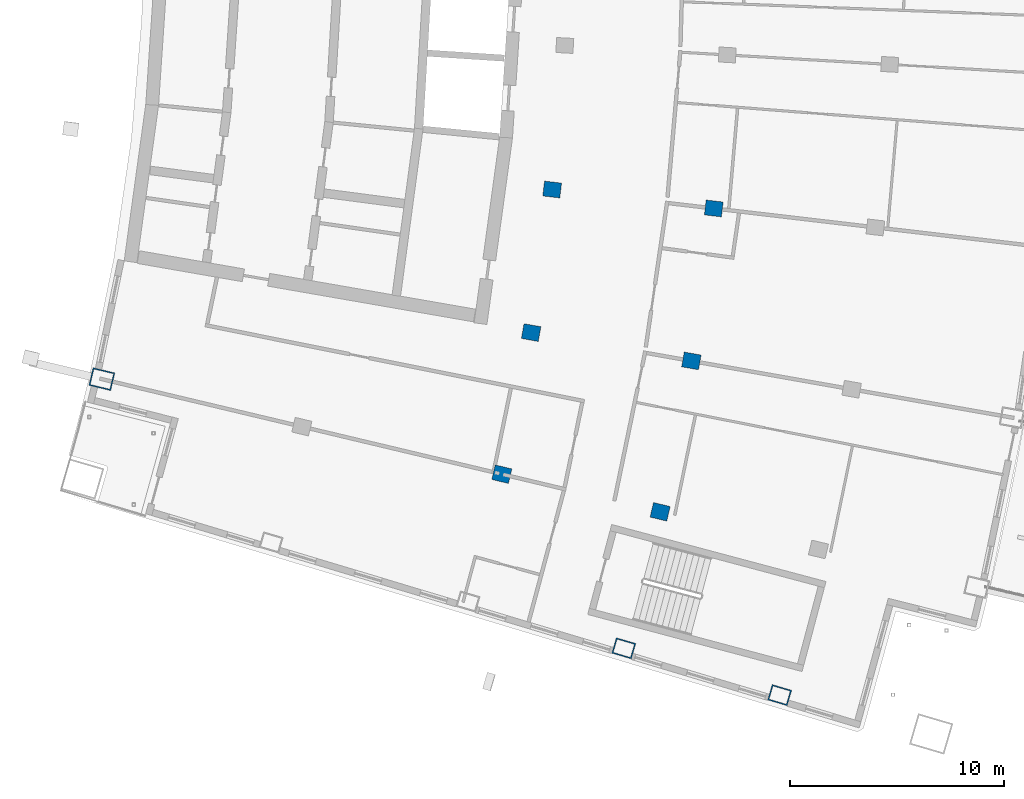
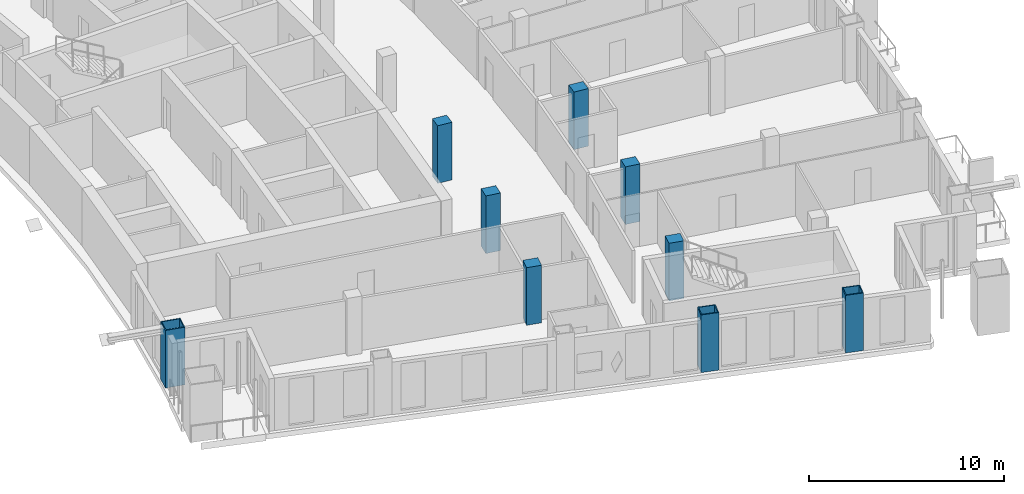
# One storey, part 2 of 19: 9 columns.
"""IFC4 building model written with IfcOpenShell, lengths in metres."""

from ifc_helpers import new_model, si_unit, direction, frame, origin, origin_2d, place, context, subcontext, project, spatial, rectangle, hollow_rectangle, extrude, material, material_profile, profile_set, type_object, element, save


model = new_model("IFC4")

# Units and contexts
model_context = context("Model", 3, precision=1e-05, world=origin(), true_north=direction((0.0, 1.0)))
body_context = subcontext(model_context, "Body", "Model", "MODEL_VIEW")
ifc_project = project(units=[si_unit("LENGTHUNIT", "METRE"), si_unit("AREAUNIT", "SQUARE_METRE"), si_unit("VOLUMEUNIT", "CUBIC_METRE"), si_unit("PLANEANGLEUNIT", "RADIAN"), si_unit("MASSUNIT", "GRAM", prefix="KILO")], contexts=[model_context])

# Site, building, storey
site_placement = place(None, origin())
site = spatial("IfcSite", under=ifc_project, at=site_placement, CompositionType="ELEMENT")
building_placement = place(site_placement, origin())
building = spatial("IfcBuilding", under=site, at=building_placement, Name="Alderwake Tower", CompositionType="ELEMENT")
storey_placement = place(building_placement, frame((0.0, 0.0, 196.39990234375)))
storey = spatial("IfcBuildingStorey", under=building, at=storey_placement, Name="L48", CompositionType="ELEMENT", Elevation=196.39990234375)

# Columns
ifc_material_1 = material(Name="Steel ASTM A572 Grade 50 concrete filled C70/85", Category="concrete")
ifc_material_profile_1 = material_profile(ifc_material_1, hollow_rectangle(XDim=0.75, YDim=0.949951171875, WallThickness=0.054931640625, at=origin_2d()), Name="BOX 950X750X55")
ifc_profile_set_1 = profile_set([ifc_material_profile_1], Name="Steel ASTM A572 Grade 50 concrete filled C70/85")
column_type_1 = type_object("IfcColumnType", Name="End column Z4", PredefinedType="COLUMN", material=ifc_profile_set_1)
for number, where, z_axis, x_axis, name in (
    (1, (38.359619140625, 26.091552734375, 0.0), (0.0, 0.0, 1.0), (0.282888913059, 0.959152679644, 0.0), "Column R02-C3"),
    (2, (45.638671875, 23.906005859375, 0.0), (0.0, 0.0, 1.0), (0.283160095779, 0.95907265635, 0.0), "Column R02-C4"),
):
    element("IfcColumn", number, at=place(storey_placement, frame(where, z_axis=z_axis, x_axis=x_axis)), inside=storey, type_object=column_type_1, Name=name, PredefinedType="COLUMN", context=body_context, shape_type="SweptSolid", body=[
        extrude(hollow_rectangle(XDim=0.75, YDim=0.949951171875, WallThickness=0.054931640625, at=origin_2d()), origin(), (0.0, 0.0, 1.0), 3.60009765625),
    ])
ifc_material_2 = material(Name="Concrete C70/85", Category="concrete")
ifc_material_profile_2 = material_profile(ifc_material_2, rectangle(XDim=0.699951171875, YDim=0.800048828125, at=origin_2d()), Name="RC 800X700")
ifc_profile_set_2 = profile_set([ifc_material_profile_2], Name="Concrete C70/85")
column_type_2 = type_object("IfcColumnType", Name="Interior column Z4", PredefinedType="COLUMN", material=ifc_profile_set_2)
for number, where, z_axis, x_axis, name in (
    (3, (32.661865234375, 34.224609375, 0.0), (0.0, 0.0, 1.0), (0.231221547198, 0.972901123502, 0.0), "Column R03-C2"),
    (4, (40.055908203125, 32.46728515625, 0.0), (0.0, 0.0, 1.0), (0.231221547198, 0.972901123502, 0.0), "Column R03-C3"),
    (5, (34.03125, 40.83837890625, 0.0), (0.0, 0.0, 1.0), (0.174108800747, 0.984726421654, 0.0), "Column R04-C2"),
    (6, (41.515380859375, 39.51513671875, 0.0), (0.0, 0.0, 1.0), (0.174107082075, 0.984726725529, 0.0), "Column R04-C3"),
    (7, (35.0126953125, 47.5205078125, 0.0), (0.0, 0.0, 1.0), (0.116402054316, 0.993202175668, 0.0), "Column R05-C2"),
    (8, (42.56103515625, 46.635986328125, 0.0), (0.0, 0.0, 1.0), (0.116402054316, 0.993202175668, 0.0), "Column R05-C3"),
):
    element("IfcColumn", number, at=place(storey_placement, frame(where, z_axis=z_axis, x_axis=x_axis)), inside=storey, type_object=column_type_2, Name=name, PredefinedType="COLUMN", context=body_context, shape_type="SweptSolid", body=[
        extrude(rectangle(XDim=0.699951171875, YDim=0.800048828125, at=origin_2d()), origin(), (0.0, 0.0, 1.0), 3.60009765625),
    ])
ifc_material_3 = material(Name="Steel ASTM A572 Grade 50 concrete filled C70/85", Category="concrete")
ifc_material_profile_3 = material_profile(ifc_material_3, hollow_rectangle(XDim=0.85009765625, YDim=1.050048828125, WallThickness=0.054931640625, at=origin_2d()), Name="BOX 1050X850X55")
ifc_profile_set_3 = profile_set([ifc_material_profile_3], Name="Steel ASTM A572 Grade 50 concrete filled C70/85")
column_type_3 = type_object("IfcColumnType", Name="Perimeter column Z4", PredefinedType="COLUMN", material=ifc_profile_set_3)
column_placement = place(storey_placement, frame((13.982177734375, 38.6640625, 0.0), z_axis=(0.0, 0.0, 1.0), x_axis=(0.231221547198, 0.972901123502, 0.0)))
element("IfcColumn", 9, at=column_placement, inside=storey, type_object=column_type_3, Name="Column R03-C0", PredefinedType="COLUMN", context=body_context, shape_type="SweptSolid", body=[
    extrude(hollow_rectangle(XDim=0.85009765625, YDim=1.050048828125, WallThickness=0.054931640625, at=origin_2d()), origin(), (0.0, 0.0, 1.0), 3.60009765625),
])

save(model, "model.ifc")
